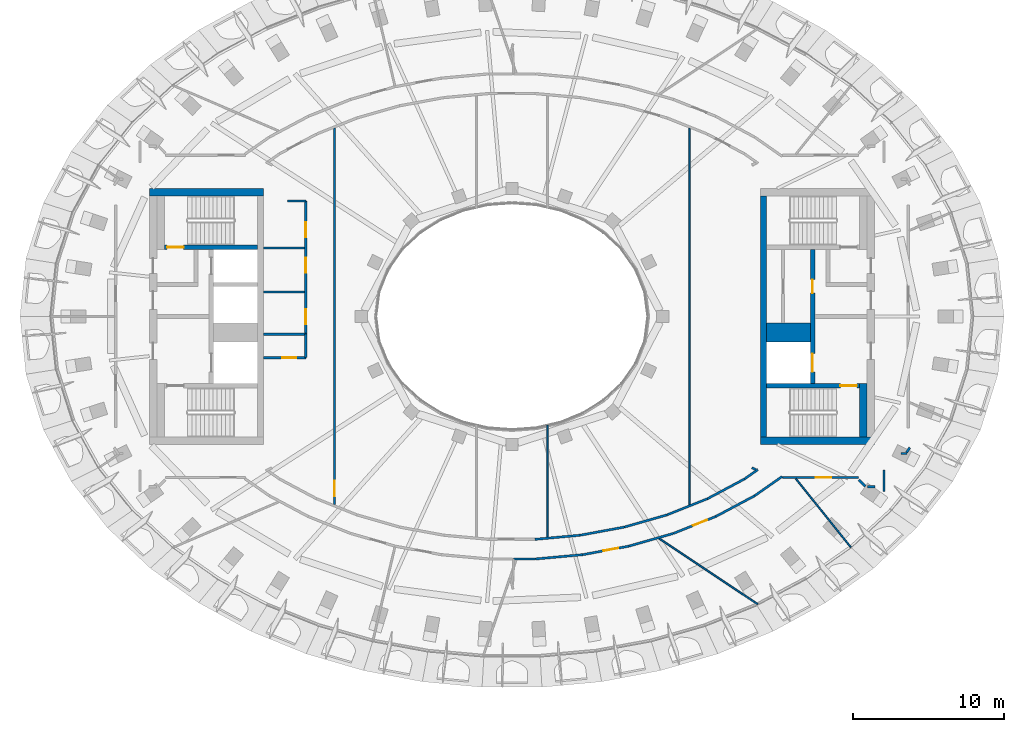
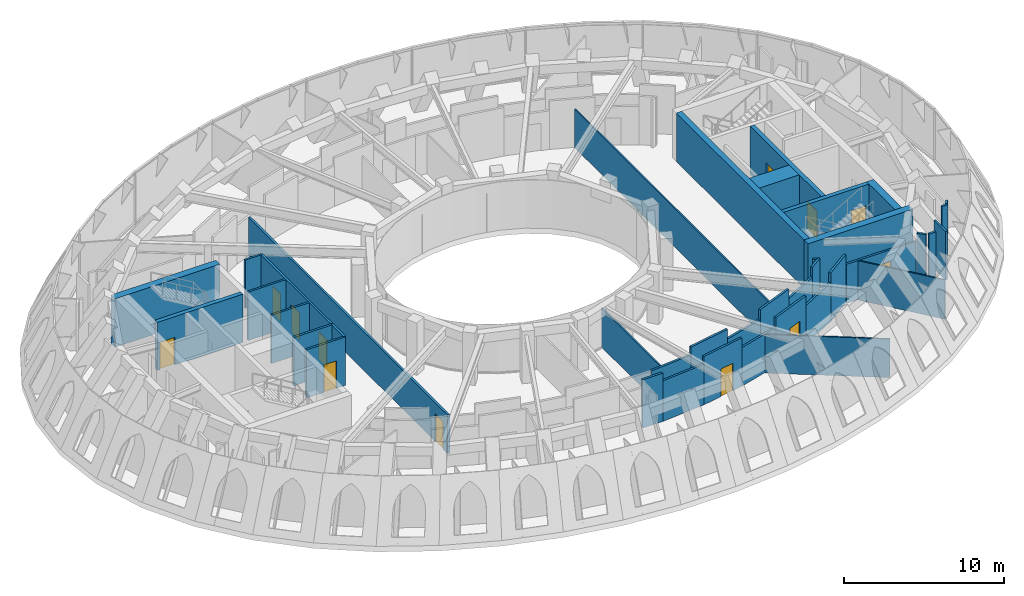
# One storey, part 4 of 13: 40 walls, 12 doors, 12 openings.
"""IFC4 building model written with IfcOpenShell, lengths in metres."""

import ifcopenshell
import ifcopenshell.guid

model = None  # the IFC model being written
_history = None  # IfcOwnerHistory: only IFC2X3 demands one
_inside = {}  # id of a spatial element -> (the spatial element, [elements in it])
_under = {}  # id of a project, library or spatial element -> (it, [spatial elements below it])
_declared = {}  # id of a project -> (the project, [libraries it declares])
_typed = {}  # id of a type object -> (the type object, [elements of that type])
_made_of = {}  # id of a material, layer set ... -> (it, [elements and type objects made of it])


def new_model(schema):
    """Start an empty IFC model of exactly this schema.

    Asked for "IFC4X3", IfcOpenShell would pick the latest addendum, in which some entities
    have other attributes; the version numbers below select the first issue.
    IFC2X3 requires an IfcOwnerHistory on every rooted entity: one is made here for all.
    """
    global model, _history
    if schema == "IFC4X3":
        model = ifcopenshell.file(schema_version=(4, 3, 0, 0))
    else:
        model = ifcopenshell.file(schema=schema)
    _inside.clear()
    _under.clear()
    _declared.clear()
    _typed.clear()
    _made_of.clear()
    _history = None
    if model.schema == "IFC2X3":
        org = make("IfcOrganization", Name="unknown")
        user = make(
            "IfcPersonAndOrganization",
            ThePerson=make("IfcPerson", FamilyName="unknown"),
            TheOrganization=org,
        )
        app = make(
            "IfcApplication",
            ApplicationDeveloper=org,
            Version="unknown",
            ApplicationFullName="unknown",
            ApplicationIdentifier="unknown",
        )
        _history = make(
            "IfcOwnerHistory",
            OwningUser=user,
            OwningApplication=app,
            ChangeAction="ADDED",
            CreationDate=0,
        )
    return model


def make(cls, **values):
    """One entity of the class cls with the attributes given. An attribute that is None is left unset."""
    return model.create_entity(
        cls, **{name: value for name, value in values.items() if value is not None}
    )


def rooted(cls, **values):
    """An entity with a GlobalId (a new one), such as an element, a storey or a relation."""
    return make(cls, GlobalId=ifcopenshell.guid.new(), OwnerHistory=_history, **values)


def si_unit(unit_type, name, prefix=None):
    """IfcSIUnit, for example si_unit("LENGTHUNIT", "METRE", prefix="MILLI")."""
    return make("IfcSIUnit", UnitType=unit_type, Prefix=prefix, Name=name)


def assignment(units):
    """IfcUnitAssignment: the units of a project."""
    return None if units is None else make("IfcUnitAssignment", Units=units)


def point(xyz):
    """IfcCartesianPoint."""
    return None if xyz is None else make("IfcCartesianPoint", Coordinates=xyz)


def direction(xyz):
    """IfcDirection."""
    return None if xyz is None else make("IfcDirection", DirectionRatios=xyz)


def frame(location, z_axis=None, x_axis=None):
    """IfcAxis2Placement3D, a coordinate frame: its origin and axes. An axis left out is left unset."""
    return make(
        "IfcAxis2Placement3D",
        Location=point(location),
        Axis=direction(z_axis),
        RefDirection=direction(x_axis),
    )


def frame_2d(location, x_axis=None):
    """IfcAxis2Placement2D, a coordinate frame in the plane: its origin and x axis."""
    return make(
        "IfcAxis2Placement2D", Location=point(location), RefDirection=direction(x_axis)
    )


def origin():
    """The frame at (0, 0, 0) with its axes left unset."""
    return frame((0.0, 0.0, 0.0))


def place(relative_to, where):
    """IfcLocalPlacement: puts the frame where relative to a parent placement (None: the world)."""
    return make(
        "IfcLocalPlacement", PlacementRelTo=relative_to, RelativePlacement=where
    )


def context(
    kind, dimensions, precision=None, world=None, true_north=None, identifier=None
):
    """IfcGeometricRepresentationContext, for example the 3D "Model" context."""
    return make(
        "IfcGeometricRepresentationContext",
        ContextIdentifier=identifier,
        ContextType=kind,
        CoordinateSpaceDimension=dimensions,
        Precision=precision,
        WorldCoordinateSystem=world,
        TrueNorth=true_north,
    )


def subcontext(parent, identifier, kind, view, scale=None):
    """IfcGeometricRepresentationSubContext, for example "Body" below "Model"."""
    return make(
        "IfcGeometricRepresentationSubContext",
        ContextIdentifier=identifier,
        ContextType=kind,
        ParentContext=parent,
        TargetScale=scale,
        TargetView=view,
    )


def project(units=None, contexts=None):
    """IfcProject with its units and contexts."""
    return rooted(
        "IfcProject",
        Name="project",
        RepresentationContexts=contexts,
        UnitsInContext=assignment(units),
    )


def spatial(cls, under=None, at=None, **own):
    """A site, building, storey or space (cls), placed at a placement, below another one or the project."""
    s = rooted(cls, ObjectPlacement=at, **own)
    if under is not None:
        _under.setdefault(under.id(), (under, []))[1].append(s)
    return s


def profile(cls, at=None, kind="AREA", **sizes):
    """A parametric profile (cls). Its sizes go by their IFC names, for example OverallWidth=200.0."""
    return make(cls, ProfileType=kind, Position=at, **sizes)


def rectangle(**sizes):
    """IfcRectangleProfileDef."""
    return profile("IfcRectangleProfileDef", **sizes)


def extrude(swept, where, along, depth):
    """IfcExtrudedAreaSolid: the profile swept, set in the frame where, extruded along a direction by depth."""
    return make(
        "IfcExtrudedAreaSolid",
        SweptArea=swept,
        Position=where,
        ExtrudedDirection=direction(along),
        Depth=depth,
    )


def shape(context_of_items, identifier, shape_type, items):
    """IfcShapeRepresentation: the items that make up one representation, for example the "Body"."""
    return make(
        "IfcShapeRepresentation",
        ContextOfItems=context_of_items,
        RepresentationIdentifier=identifier,
        RepresentationType=shape_type,
        Items=items,
    )


def material(Name=None, Category=None):
    """IfcMaterial."""
    return make("IfcMaterial", Name=Name, Category=Category)


def layer(
    of_material, thickness, ventilated=None, Name=None, Category=None, Priority=None
):
    """IfcMaterialLayer: one layer of a wall or slab, of a material (None: an air gap)."""
    return make(
        "IfcMaterialLayer",
        Material=of_material,
        LayerThickness=thickness,
        IsVentilated=ventilated,
        Name=Name,
        Category=Category,
        Priority=Priority,
    )


def layer_set(layers, Name=None):
    """IfcMaterialLayerSet."""
    return make("IfcMaterialLayerSet", MaterialLayers=layers, LayerSetName=Name)


def made_of(thing, what):
    """Note that an element or type object is made of a material, layer set ...; save() writes the relation."""
    if what is not None:
        _made_of.setdefault(what.id(), (what, []))[1].append(thing)
    return thing


def type_object(cls, material=None, **own):
    """A type object (cls), such as IfcWallType, which elements share."""
    return made_of(rooted(cls, **own), material)


def element(
    cls,
    number,
    at=None,
    inside=None,
    cuts=None,
    type_object=None,
    material=None,
    context=None,
    identifier="Body",
    shape_type=None,
    held_by="IfcProductDefinitionShape",
    body=None,
    shapes=None,
    **own,
):
    """One element of the class cls, such as IfcWall. Its Tag is "e" and its number.

    at: its placement. inside: the storey or other place that contains it. cuts: it is an
    opening in that element (IfcRelVoidsElement). A single representation is given by context,
    identifier, shape_type and body (its items); several are given by shapes. held_by: the class
    of the entity that holds the representations. save() writes the other relations.
    """
    e = rooted(cls, Tag="e%d" % number, ObjectPlacement=at, **own)
    if body is not None:
        shapes = [shape(context, identifier, shape_type, body)]
    if shapes is not None:
        e.Representation = make(held_by, Representations=shapes)
    if inside is not None:
        _inside.setdefault(inside.id(), (inside, []))[1].append(e)
    if cuts is not None:
        rooted(
            "IfcRelVoidsElement", RelatingBuildingElement=cuts, RelatedOpeningElement=e
        )
    if type_object is not None:
        _typed.setdefault(type_object.id(), (type_object, []))[1].append(e)
    return made_of(e, material)


def fill(opening, filler):
    """IfcRelFillsElement: the door or window that sits in an opening."""
    return rooted(
        "IfcRelFillsElement",
        RelatingOpeningElement=opening,
        RelatedBuildingElement=filler,
    )


def aggregate(whole, parts):
    """IfcRelAggregates: a whole, such as a stair, and the parts it consists of."""
    return rooted("IfcRelAggregates", RelatingObject=whole, RelatedObjects=parts)


def save(model, path):
    """Write the relations noted so far, then the file.

    IfcRelAggregates (storeys below a building ...), IfcRelContainedInSpatialStructure (elements
    in a storey), IfcRelDefinesByType, IfcRelAssociatesMaterial and IfcRelDeclares: one each for
    every whole, place, type object, material and project.
    """
    for whole, parts in _under.values():
        aggregate(whole, parts)
    for where, things in _inside.values():
        rooted(
            "IfcRelContainedInSpatialStructure",
            RelatedElements=things,
            RelatingStructure=where,
        )
    for kind, things in _typed.values():
        rooted("IfcRelDefinesByType", RelatedObjects=things, RelatingType=kind)
    for what, things in _made_of.values():
        rooted("IfcRelAssociatesMaterial", RelatedObjects=things, RelatingMaterial=what)
    for by, libraries in _declared.values():
        rooted("IfcRelDeclares", RelatingContext=by, RelatedDefinitions=libraries)
    model.write(path)


model = new_model("IFC4")

# Units and contexts
model_context = context("Model", 3, precision=1e-05, world=origin(), true_north=direction((0.0, 1.0)))
body_context = subcontext(model_context, "Body", "Model", "MODEL_VIEW")
ifc_project = project(units=[si_unit("LENGTHUNIT", "METRE"), si_unit("AREAUNIT", "SQUARE_METRE"), si_unit("VOLUMEUNIT", "CUBIC_METRE"), si_unit("PLANEANGLEUNIT", "RADIAN"), si_unit("MASSUNIT", "GRAM", prefix="KILO")], contexts=[model_context])

# Site, building, storey
site_placement = place(None, origin())
site = spatial("IfcSite", under=ifc_project, at=site_placement, CompositionType="ELEMENT")
building_placement = place(site_placement, origin())
building = spatial("IfcBuilding", under=site, at=building_placement, Name="Noorbagh Ring Tower", CompositionType="ELEMENT")
storey_placement = place(building_placement, frame((0.0, 0.0, 347.0)))
storey = spatial("IfcBuildingStorey", under=building, at=storey_placement, Name="L76", CompositionType="ELEMENT", Elevation=347.0)

# Wall, opening, door
ifc_material_1 = material(Name="Gypsum board on steel studs", Category="steel")
ifc_layer_1 = layer(ifc_material_1, 0.14990234375)
ifc_layer_set_1 = layer_set([ifc_layer_1], Name="Gypsum board on steel studs")
wall_type_1 = type_object("IfcWallType", Name="COMPARTMENT PARTITION 150 EI 60", PredefinedType="PARTITIONING", material=ifc_layer_set_1)
wall_1_placement = place(storey_placement, frame((-16.5, -2.740966796875, 0.0), z_axis=(0.0, 0.0, 1.0), x_axis=(1.0, 0.0, 0.0)))
wall_1 = element("IfcWall", 1, at=wall_1_placement, inside=storey, type_object=wall_type_1, Name="L76/wall/P19", PredefinedType="PARTITIONING", context=body_context, shape_type="SweptSolid", body=[
    extrude(rectangle(XDim=2.81396484375, YDim=0.14990234375, at=frame_2d((1.406982421875, 0.0))), origin(), (0.0, 0.0, 1.0), 3.699951171875),
])
opening_1_placement = place(wall_1_placement, frame((1.263916015625, 0.0, 0.0)))
opening_1 = element("IfcOpeningElement", 2, at=opening_1_placement, cuts=wall_1, Name="Opening D4", PredefinedType="OPENING", context=body_context, shape_type="SweptSolid", body=[
    extrude(rectangle(XDim=0.89990234375, YDim=2.10009765625, at=frame_2d((0.449951171875, 1.050048828125))), frame((0.0, 0.0849609375, 0.0), z_axis=(0.0, -1.0, 0.0), x_axis=(1.0, 0.0, 0.0)), (0.0, 0.0, 1.0), 0.169921875),
])
ifc_material_2 = material(Name="Timber, painted", Category="wood")
door_type_1 = type_object("IfcDoorType", Name="DOOR 900 X 2100 FD60", OperationType="SINGLE_SWING_LEFT", PredefinedType="DOOR", material=ifc_material_2)
door_1_placement = place(opening_1_placement, origin())
door_1 = element("IfcDoor", 3, at=door_1_placement, inside=storey, type_object=door_type_1, Name="L76-D05", OperationType="SINGLE_SWING_LEFT", OverallHeight=2.10009765625, OverallWidth=0.89990234375, PredefinedType="DOOR", context=body_context, shape_type="SweptSolid", body=[
    extrude(rectangle(XDim=0.89990234375, YDim=2.10009765625, at=frame_2d((0.449951171875, 1.050048828125))), frame((0.0, 0.02490234375, 0.0), z_axis=(0.0, -1.0, 0.0), x_axis=(1.0, 0.0, 0.0)), (0.0, 0.0, 1.0), 0.050048828125),
])
fill(opening_1, door_1)

# Walls
wall_2_placement = place(storey_placement, frame((-16.5, -1.180908203125, 0.0), z_axis=(0.0, 0.0, 1.0), x_axis=(1.0, 0.0, 0.0)))
element("IfcWall", 4, at=wall_2_placement, inside=storey, type_object=wall_type_1, Name="L76/wall/P20", PredefinedType="PARTITIONING", context=body_context, shape_type="SweptSolid", body=[
    extrude(rectangle(XDim=2.81396484375, YDim=0.14990234375, at=frame_2d((1.406982421875, 0.0))), origin(), (0.0, 0.0, 1.0), 3.699951171875),
])
wall_3_placement = place(storey_placement, frame((-13.68603515625, -2.740966796875, 0.0), z_axis=(0.0, 0.0, 1.0), x_axis=(0.0, 1.0, 0.0)))
element("IfcWall", 5, at=wall_3_placement, inside=storey, type_object=wall_type_1, Name="L76/wall/P32", PredefinedType="PARTITIONING", context=body_context, shape_type="SweptSolid", body=[
    extrude(rectangle(XDim=1.56005859375, YDim=0.14990234375, at=frame_2d((0.780029296875, 0.0))), origin(), (0.0, 0.0, 1.0), 3.699951171875),
])
ifc_material_3 = material(Name="Concrete C50/60", Category="concrete")
ifc_layer_2 = layer(ifc_material_3, 1.25)
ifc_layer_set_2 = layer_set([ifc_layer_2], Name="Concrete C50/60")
wall_type_2 = type_object("IfcWallType", Name="CORE-WALL-1250-C50-60-EI120", PredefinedType="SHEAR", material=ifc_layer_set_2)
wall_4_placement = place(storey_placement, frame((16.89990234375, -1.074951171875, 0.0), z_axis=(0.0, 0.0, 1.0), x_axis=(1.0, 0.0, 0.0)))
element("IfcWall", 6, at=wall_4_placement, inside=storey, type_object=wall_type_2, Name="Core wall E", PredefinedType="SHEAR", context=body_context, shape_type="SweptSolid", body=[
    extrude(rectangle(XDim=2.900146484375, YDim=1.25, at=frame_2d((1.4501953125, 0.0))), origin(), (0.0, 0.0, 1.0), 3.699951171875),
])

# Wall, openings, doors
ifc_material_4 = material(Name="Concrete C50/60", Category="concrete")
ifc_layer_3 = layer(ifc_material_4, 0.300048828125)
ifc_layer_set_3 = layer_set([ifc_layer_3], Name="Concrete C50/60")
wall_type_3 = type_object("IfcWallType", Name="CORE-WALL-300-C50-60-EI120", PredefinedType="SHEAR", material=ifc_layer_set_3)
wall_5_placement = place(storey_placement, frame((19.949951171875, -4.449951171875, 0.0), z_axis=(0.0, 0.0, 1.0), x_axis=(0.0, 1.0, 0.0)))
wall_5 = element("IfcWall", 7, at=wall_5_placement, inside=storey, type_object=wall_type_3, Name="Core wall E", PredefinedType="SHEAR", context=body_context, shape_type="SweptSolid", body=[
    extrude(rectangle(XDim=8.89990234375, YDim=0.300048828125, at=frame_2d((4.449951171875, 0.0))), origin(), (0.0, 0.0, 1.0), 3.699951171875),
])
opening_2_placement = place(wall_5_placement, frame((0.77490234375, 0.0, 0.0)))
opening_2 = element("IfcOpeningElement", 8, at=opening_2_placement, cuts=wall_5, Name="Opening L76-CE01", PredefinedType="OPENING", context=body_context, shape_type="SweptSolid", body=[
    extrude(rectangle(XDim=1.199951171875, YDim=2.10009765625, at=frame_2d((0.60009765625, 1.050048828125))), frame((0.0, 0.16015625, 0.0), z_axis=(0.0, -1.0, 0.0), x_axis=(1.0, 0.0, 0.0)), (0.0, 0.0, 1.0), 0.320068359375),
])
opening_3_placement = place(wall_5_placement, frame((6.0, 0.0, 0.0)))
opening_3 = element("IfcOpeningElement", 9, at=opening_3_placement, cuts=wall_5, Name="Opening L76-CE07", PredefinedType="OPENING", context=body_context, shape_type="SweptSolid", body=[
    extrude(rectangle(XDim=0.89990234375, YDim=2.10009765625, at=frame_2d((0.449951171875, 1.050048828125))), frame((0.0, 0.16015625, 0.0), z_axis=(0.0, -1.0, 0.0), x_axis=(1.0, 0.0, 0.0)), (0.0, 0.0, 1.0), 0.320068359375),
])
ifc_material_5 = material(Name="Steel door leaf", Category="steel")
door_type_2 = type_object("IfcDoorType", Name="CORE-DOOR-DROOM", OperationType="SINGLE_SWING_LEFT", PredefinedType="DOOR", material=ifc_material_5)
door_2_placement = place(opening_3_placement, origin())
door_2 = element("IfcDoor", 10, at=door_2_placement, inside=storey, type_object=door_type_2, Name="Core room door L76-CE07", OperationType="SINGLE_SWING_RIGHT", OverallHeight=2.10009765625, OverallWidth=0.89990234375, PredefinedType="DOOR", context=body_context, shape_type="SweptSolid", body=[
    extrude(rectangle(XDim=0.89990234375, YDim=2.10009765625, at=frame_2d((0.449951171875, 1.050048828125))), frame((0.0, 0.02490234375, 0.0), z_axis=(0.0, -1.0, 0.0), x_axis=(1.0, 0.0, 0.0)), (0.0, 0.0, 1.0), 0.050048828125),
])
fill(opening_3, door_2)
ifc_material_6 = material(Name="Steel door leaf", Category="steel")
door_type_3 = type_object("IfcDoorType", Name="CORE-DOOR-LDW", OperationType="DOUBLE_DOOR_SLIDING", PredefinedType="DOOR", material=ifc_material_6)
door_3_placement = place(opening_2_placement, origin())
door_3 = element("IfcDoor", 11, at=door_3_placement, inside=storey, type_object=door_type_3, Name="Landing door FF2 L76-CE01", OperationType="DOUBLE_DOOR_SLIDING", OverallHeight=2.10009765625, OverallWidth=1.199951171875, PredefinedType="DOOR", context=body_context, shape_type="SweptSolid", body=[
    extrude(rectangle(XDim=1.199951171875, YDim=2.10009765625, at=frame_2d((0.60009765625, 1.050048828125))), frame((0.0, 0.02490234375, 0.0), z_axis=(0.0, -1.0, 0.0), x_axis=(1.0, 0.0, 0.0)), (0.0, 0.0, 1.0), 0.050048828125),
])
fill(opening_2, door_3)

# Wall, opening, door
ifc_material_7 = material(Name="Concrete C50/60", Category="concrete")
ifc_layer_4 = layer(ifc_material_7, 0.300048828125)
ifc_layer_set_4 = layer_set([ifc_layer_4], Name="Concrete C50/60")
wall_type_4 = type_object("IfcWallType", Name="CORE-WALL-300-C50-60-EI240", PredefinedType="SHEAR", material=ifc_layer_set_4)
wall_6_placement = place(storey_placement, frame((-16.89990234375, 4.60009765625, 0.0), z_axis=(0.0, 0.0, 1.0), x_axis=(-1.0, 0.0, 0.0)))
wall_6 = element("IfcWall", 12, at=wall_6_placement, inside=storey, type_object=wall_type_4, Name="Core wall W", PredefinedType="SHEAR", context=body_context, shape_type="SweptSolid", body=[
    extrude(rectangle(XDim=6.18017578125, YDim=0.300048828125, at=frame_2d((3.090087890625, 0.0))), origin(), (0.0, 0.0, 1.0), 3.699951171875),
])
opening_4_placement = place(wall_6_placement, frame((4.89990234375, 0.0, 0.0)))
opening_4 = element("IfcOpeningElement", 13, at=opening_4_placement, cuts=wall_6, Name="Opening L76-CW03", PredefinedType="OPENING", context=body_context, shape_type="SweptSolid", body=[
    extrude(rectangle(XDim=1.10009765625, YDim=2.10009765625, at=frame_2d((0.550048828125, 1.050048828125))), frame((0.0, 0.16015625, 0.0), z_axis=(0.0, -1.0, 0.0), x_axis=(1.0, 0.0, 0.0)), (0.0, 0.0, 1.0), 0.320068359375),
])
ifc_material_8 = material(Name="Steel door leaf", Category="steel")
door_type_4 = type_object("IfcDoorType", Name="CORE-DOOR-DSTAIR", OperationType="SINGLE_SWING_LEFT", PredefinedType="DOOR", material=ifc_material_8)
door_4_placement = place(opening_4_placement, origin())
door_4 = element("IfcDoor", 14, at=door_4_placement, inside=storey, type_object=door_type_4, Name="Stair door ST1 L76-CW03", OperationType="SINGLE_SWING_RIGHT", OverallHeight=2.10009765625, OverallWidth=1.10009765625, PredefinedType="DOOR", context=body_context, shape_type="SweptSolid", body=[
    extrude(rectangle(XDim=1.10009765625, YDim=2.10009765625, at=frame_2d((0.550048828125, 1.050048828125))), frame((0.0, 0.02490234375, 0.0), z_axis=(0.0, -1.0, 0.0), x_axis=(1.0, 0.0, 0.0)), (0.0, 0.0, 1.0), 0.050048828125),
])
fill(opening_4, door_4)

wall_7_placement = place(storey_placement, frame((16.89990234375, -4.60009765625, 0.0), z_axis=(0.0, 0.0, 1.0), x_axis=(1.0, 0.0, 0.0)))
wall_7 = element("IfcWall", 15, at=wall_7_placement, inside=storey, type_object=wall_type_4, Name="Core wall E", PredefinedType="SHEAR", context=body_context, shape_type="SweptSolid", body=[
    extrude(rectangle(XDim=6.18017578125, YDim=0.300048828125, at=frame_2d((3.090087890625, 0.0))), origin(), (0.0, 0.0, 1.0), 3.699951171875),
])
opening_5_placement = place(wall_7_placement, frame((4.89990234375, 0.0, 0.0)))
opening_5 = element("IfcOpeningElement", 16, at=opening_5_placement, cuts=wall_7, Name="Opening L76-CE03", PredefinedType="OPENING", context=body_context, shape_type="SweptSolid", body=[
    extrude(rectangle(XDim=1.10009765625, YDim=2.10009765625, at=frame_2d((0.550048828125, 1.050048828125))), frame((0.0, 0.16015625, 0.0), z_axis=(0.0, -1.0, 0.0), x_axis=(1.0, 0.0, 0.0)), (0.0, 0.0, 1.0), 0.320068359375),
])
door_5_placement = place(opening_5_placement, origin())
door_5 = element("IfcDoor", 17, at=door_5_placement, inside=storey, type_object=door_type_4, Name="Stair door ST4 L76-CE03", OperationType="SINGLE_SWING_RIGHT", OverallHeight=2.10009765625, OverallWidth=1.10009765625, PredefinedType="DOOR", context=body_context, shape_type="SweptSolid", body=[
    extrude(rectangle(XDim=1.10009765625, YDim=2.10009765625, at=frame_2d((0.550048828125, 1.050048828125))), frame((0.0, 0.02490234375, 0.0), z_axis=(0.0, -1.0, 0.0), x_axis=(1.0, 0.0, 0.0)), (0.0, 0.0, 1.0), 0.050048828125),
])
fill(opening_5, door_5)

# Walls
ifc_material_9 = material(Name="Concrete C50/60", Category="concrete")
ifc_layer_5 = layer(ifc_material_9, 0.39990234375)
ifc_layer_set_5 = layer_set([ifc_layer_5], Name="Concrete C50/60")
wall_type_5 = type_object("IfcWallType", Name="CORE-WALL-400-C50-60-EI240", PredefinedType="SHEAR", material=ifc_layer_set_5)
wall_8_placement = place(storey_placement, frame((16.699951171875, -8.0, 0.0), z_axis=(0.0, 0.0, 1.0), x_axis=(0.0, 1.0, 0.0)))
element("IfcWall", 18, at=wall_8_placement, inside=storey, type_object=wall_type_5, Name="Core wall E", PredefinedType="SHEAR", context=body_context, shape_type="SweptSolid", body=[
    extrude(rectangle(XDim=16.0, YDim=0.39990234375, at=frame_2d((8.0, 0.0))), origin(), (0.0, 0.0, 1.0), 3.699951171875),
])
ifc_material_10 = material(Name="Concrete C50/60", Category="concrete")
ifc_layer_6 = layer(ifc_material_10, 0.5)
ifc_layer_set_6 = layer_set([ifc_layer_6], Name="Concrete C50/60")
wall_type_6 = type_object("IfcWallType", Name="CORE-WALL-500-C50-60-EI240", PredefinedType="SHEAR", material=ifc_layer_set_6)
for number, where, z_axis, x_axis, name in (
    (19, (-16.5, 8.25, 0.0), (0.0, 0.0, 1.0), (-1.0, 0.0, 0.0), "Core wall W"),
    (20, (16.5, -8.25, 0.0), (0.0, 0.0, 1.0), (1.0, 0.0, 0.0), "Core wall E"),
):
    element("IfcWall", number, at=place(storey_placement, frame(where, z_axis=z_axis, x_axis=x_axis)), inside=storey, type_object=wall_type_6, Name=name, PredefinedType="SHEAR", context=body_context, shape_type="SweptSolid", body=[
        extrude(rectangle(XDim=7.580078125, YDim=0.5, at=frame_2d((3.7900390625, 0.0))), origin(), (0.0, 0.0, 1.0), 3.699951171875),
    ])
wall_9_placement = place(storey_placement, frame((23.330078125, -8.0, 0.0), z_axis=(0.0, 0.0, 1.0), x_axis=(0.0, 1.0, 0.0)))
element("IfcWall", 21, at=wall_9_placement, inside=storey, type_object=wall_type_6, Name="Core wall E", PredefinedType="SHEAR", context=body_context, shape_type="SweptSolid", body=[
    extrude(rectangle(XDim=3.550048828125, YDim=0.5, at=frame_2d((1.77490234375, 0.0))), origin(), (0.0, 0.0, 1.0), 3.699951171875),
])
ifc_material_11 = material(Name="Gypsum board on steel studs", Category="steel")
ifc_layer_7 = layer(ifc_material_11, 0.14990234375)
ifc_layer_set_7 = layer_set([ifc_layer_7], Name="Gypsum board on steel studs")
wall_type_7 = type_object("IfcWallType", Name="CORRIDOR PARTITION 150 EI 30", PredefinedType="PARTITIONING", material=ifc_layer_set_7)
for number, where, z_axis, x_axis, name in (
    (22, (-16.5, 1.626953125, 0.0), (0.0, 0.0, 1.0), (1.0, 0.0, 0.0), "L76/wall/P21"),
    (23, (-16.5, 4.5390625, 0.0), (0.0, 0.0, 1.0), (1.0, 0.0, 0.0), "L76/wall/P22"),
):
    element("IfcWall", number, at=place(storey_placement, frame(where, z_axis=z_axis, x_axis=x_axis)), inside=storey, type_object=wall_type_7, Name=name, PredefinedType="PARTITIONING", context=body_context, shape_type="SweptSolid", body=[
        extrude(rectangle(XDim=2.739013671875, YDim=0.14990234375, at=frame_2d((1.36962890625, 0.0))), origin(), (0.0, 0.0, 1.0), 3.699951171875),
    ])
wall_10_placement = place(storey_placement, frame((-14.905029296875, 7.658935546875, 0.0), z_axis=(0.0, 0.0, 1.0), x_axis=(1.0, 0.0, 0.0)))
element("IfcWall", 24, at=wall_10_placement, inside=storey, type_object=wall_type_7, Name="L76/wall/P31", PredefinedType="PARTITIONING", context=body_context, shape_type="SweptSolid", body=[
    extrude(rectangle(XDim=1.218994140625, YDim=0.14990234375, at=frame_2d((0.609375, 0.0))), origin(), (0.0, 0.0, 1.0), 3.699951171875),
])

# Wall, openings, doors
wall_11_placement = place(storey_placement, frame((-13.68603515625, -1.180908203125, 0.0), z_axis=(0.0, 0.0, 1.0), x_axis=(0.0, 1.0, 0.0)))
wall_11 = element("IfcWall", 25, at=wall_11_placement, inside=storey, type_object=wall_type_7, Name="L76/wall/P33", PredefinedType="PARTITIONING", context=body_context, shape_type="SweptSolid", body=[
    extrude(rectangle(XDim=8.83984375, YDim=0.14990234375, at=frame_2d((4.419921875, 0.0))), origin(), (0.0, 0.0, 1.0), 3.699951171875),
])
opening_6_placement = place(wall_11_placement, frame((6.43994140625, 0.0, 0.0)))
opening_6 = element("IfcOpeningElement", 26, at=opening_6_placement, cuts=wall_11, Name="Opening D3", PredefinedType="OPENING", context=body_context, shape_type="SweptSolid", body=[
    extrude(rectangle(XDim=1.0, YDim=2.10009765625, at=frame_2d((0.5, 1.050048828125))), frame((0.0, 0.0849609375, 0.0), z_axis=(0.0, -1.0, 0.0), x_axis=(1.0, 0.0, 0.0)), (0.0, 0.0, 1.0), 0.169921875),
])
opening_7_placement = place(wall_11_placement, frame((4.070068359375, 0.0, 0.0)))
opening_7 = element("IfcOpeningElement", 27, at=opening_7_placement, cuts=wall_11, Name="Opening D3", PredefinedType="OPENING", context=body_context, shape_type="SweptSolid", body=[
    extrude(rectangle(XDim=1.0, YDim=2.10009765625, at=frame_2d((0.5, 1.050048828125))), frame((0.0, 0.0849609375, 0.0), z_axis=(0.0, -1.0, 0.0), x_axis=(1.0, 0.0, 0.0)), (0.0, 0.0, 1.0), 0.169921875),
])
opening_8_placement = place(wall_11_placement, frame((0.657958984375, 0.0, 0.0)))
opening_8 = element("IfcOpeningElement", 28, at=opening_8_placement, cuts=wall_11, Name="Opening D3", PredefinedType="OPENING", context=body_context, shape_type="SweptSolid", body=[
    extrude(rectangle(XDim=1.0, YDim=2.10009765625, at=frame_2d((0.5, 1.050048828125))), frame((0.0, 0.0849609375, 0.0), z_axis=(0.0, -1.0, 0.0), x_axis=(1.0, 0.0, 0.0)), (0.0, 0.0, 1.0), 0.169921875),
])
ifc_material_12 = material(Name="Timber, painted", Category="wood")
door_type_5 = type_object("IfcDoorType", Name="DOOR 1000 X 2100 WC", OperationType="SINGLE_SWING_LEFT", PredefinedType="DOOR", material=ifc_material_12)
door_6_placement = place(opening_6_placement, origin())
door_6 = element("IfcDoor", 29, at=door_6_placement, inside=storey, type_object=door_type_5, Name="L76-D02", OperationType="SINGLE_SWING_RIGHT", OverallHeight=2.10009765625, OverallWidth=1.0, PredefinedType="DOOR", context=body_context, shape_type="SweptSolid", body=[
    extrude(rectangle(XDim=1.0, YDim=2.10009765625, at=frame_2d((0.5, 1.050048828125))), frame((0.0, 0.02490234375, 0.0), z_axis=(0.0, -1.0, 0.0), x_axis=(1.0, 0.0, 0.0)), (0.0, 0.0, 1.0), 0.050048828125),
])
fill(opening_6, door_6)
door_7_placement = place(opening_7_placement, origin())
door_7 = element("IfcDoor", 30, at=door_7_placement, inside=storey, type_object=door_type_5, Name="L76-D03", OperationType="SINGLE_SWING_LEFT", OverallHeight=2.10009765625, OverallWidth=1.0, PredefinedType="DOOR", context=body_context, shape_type="SweptSolid", body=[
    extrude(rectangle(XDim=1.0, YDim=2.10009765625, at=frame_2d((0.5, 1.050048828125))), frame((0.0, 0.02490234375, 0.0), z_axis=(0.0, -1.0, 0.0), x_axis=(1.0, 0.0, 0.0)), (0.0, 0.0, 1.0), 0.050048828125),
])
fill(opening_7, door_7)
door_8_placement = place(opening_8_placement, origin())
door_8 = element("IfcDoor", 31, at=door_8_placement, inside=storey, type_object=door_type_5, Name="L76-D04", OperationType="SINGLE_SWING_RIGHT", OverallHeight=2.10009765625, OverallWidth=1.0, PredefinedType="DOOR", context=body_context, shape_type="SweptSolid", body=[
    extrude(rectangle(XDim=1.0, YDim=2.10009765625, at=frame_2d((0.5, 1.050048828125))), frame((0.0, 0.02490234375, 0.0), z_axis=(0.0, -1.0, 0.0), x_axis=(1.0, 0.0, 0.0)), (0.0, 0.0, 1.0), 0.050048828125),
])
fill(opening_8, door_8)

# Wall, opening, door
wall_12_placement = place(storey_placement, frame((-11.785888671875, -12.492919921875, 0.0), z_axis=(0.0, 0.0, 1.0), x_axis=(0.0, 1.0, 0.0)))
wall_12 = element("IfcWall", 32, at=wall_12_placement, inside=storey, type_object=wall_type_7, Name="L76/wall/P38", PredefinedType="PARTITIONING", context=body_context, shape_type="SweptSolid", body=[
    extrude(rectangle(XDim=24.98583984375, YDim=0.14990234375, at=frame_2d((12.492919921875, 0.0))), origin(), (0.0, 0.0, 1.0), 2.949951171875),
])
opening_9_placement = place(wall_12_placement, frame((0.569091796875, 0.0, 0.0)))
opening_9 = element("IfcOpeningElement", 33, at=opening_9_placement, cuts=wall_12, Name="Opening D1", PredefinedType="OPENING", context=body_context, shape_type="SweptSolid", body=[
    extrude(rectangle(XDim=1.0, YDim=2.10009765625, at=frame_2d((0.5, 1.050048828125))), frame((0.0, 0.0849609375, 0.0), z_axis=(0.0, -1.0, 0.0), x_axis=(1.0, 0.0, 0.0)), (0.0, 0.0, 1.0), 0.169921875),
])
ifc_material_13 = material(Name="Timber, painted", Category="wood")
door_type_6 = type_object("IfcDoorType", Name="DOOR 1000 X 2100 FD30", OperationType="SINGLE_SWING_LEFT", PredefinedType="DOOR", material=ifc_material_13)
door_9_placement = place(opening_9_placement, origin())
door_9 = element("IfcDoor", 34, at=door_9_placement, inside=storey, type_object=door_type_6, Name="L76-D21", OperationType="SINGLE_SWING_LEFT", OverallHeight=2.10009765625, OverallWidth=1.0, PredefinedType="DOOR", context=body_context, shape_type="SweptSolid", body=[
    extrude(rectangle(XDim=1.0, YDim=2.10009765625, at=frame_2d((0.5, 1.050048828125))), frame((0.0, 0.02490234375, 0.0), z_axis=(0.0, -1.0, 0.0), x_axis=(1.0, 0.0, 0.0)), (0.0, 0.0, 1.0), 0.050048828125),
])
fill(opening_9, door_9)

# Walls
wall_13_placement = place(storey_placement, frame((0.115966796875, -16.09912109375, 0.0), z_axis=(0.0, 0.0, 1.0), x_axis=(1.0, 0.0, 0.0)))
element("IfcWall", 35, at=wall_13_placement, inside=storey, type_object=wall_type_7, Name="L76/wall/P65", PredefinedType="PARTITIONING", context=body_context, shape_type="SweptSolid", body=[
    extrude(rectangle(XDim=1.45703125, YDim=0.14990234375, at=frame_2d((0.728515625, 0.0))), origin(), (0.0, 0.0, 1.0), 3.699951171875),
])
wall_14_placement = place(storey_placement, frame((1.513916015625, -14.799072265625, 0.0), z_axis=(0.0, 0.0, 1.0), x_axis=(0.995895857898, 0.09050657557, 0.0)))
element("IfcWall", 36, at=wall_14_placement, inside=storey, type_object=wall_type_7, Name="L76/wall/P67", PredefinedType="PARTITIONING", context=body_context, shape_type="SweptSolid", body=[
    extrude(rectangle(XDim=3.0185546875, YDim=0.14990234375, at=frame_2d((1.50927734375, 0.0))), origin(), (0.0, 0.0, 1.0), 3.10009765625),
])
wall_15_placement = place(storey_placement, frame((1.572998046875, -16.09912109375, 0.0), z_axis=(0.0, 0.0, 1.0), x_axis=(0.995918677146, 0.090255130116, 0.0)))
element("IfcWall", 37, at=wall_15_placement, inside=storey, type_object=wall_type_7, Name="L76/wall/P69", PredefinedType="PARTITIONING", context=body_context, shape_type="SweptSolid", body=[
    extrude(rectangle(XDim=3.1376953125, YDim=0.14990234375, at=frame_2d((1.56884765625, 0.0))), origin(), (0.0, 0.0, 1.0), 3.10009765625),
])
wall_16_placement = place(storey_placement, frame((4.52001953125, -14.52587890625, 0.0), z_axis=(0.0, 0.0, 1.0), x_axis=(0.983401893443, 0.181440667913, 0.0)))
element("IfcWall", 38, at=wall_16_placement, inside=storey, type_object=wall_type_7, Name="L76/wall/P73", PredefinedType="PARTITIONING", context=body_context, shape_type="SweptSolid", body=[
    extrude(rectangle(XDim=2.992431640625, YDim=0.14990234375, at=frame_2d((1.49609375, 0.0))), origin(), (0.0, 0.0, 1.0), 3.699951171875),
])

# Wall, opening, door
wall_17_placement = place(storey_placement, frame((4.697998046875, -15.81591796875, 0.0), z_axis=(0.0, 0.0, 1.0), x_axis=(0.983356767642, 0.181685077905, 0.0)))
wall_17 = element("IfcWall", 39, at=wall_17_placement, inside=storey, type_object=wall_type_7, Name="L76/wall/P75", PredefinedType="PARTITIONING", context=body_context, shape_type="SweptSolid", body=[
    extrude(rectangle(XDim=3.11474609375, YDim=0.14990234375, at=frame_2d((1.557373046875, 0.0))), origin(), (0.0, 0.0, 1.0), 3.699951171875),
])
opening_10_placement = place(wall_17_placement, frame((1.39990234375, 0.0, 0.0)))
opening_10 = element("IfcOpeningElement", 40, at=opening_10_placement, cuts=wall_17, Name="Opening D1", PredefinedType="OPENING", context=body_context, shape_type="SweptSolid", body=[
    extrude(rectangle(XDim=1.0, YDim=2.10009765625, at=frame_2d((0.5, 1.050048828125))), frame((0.0, 0.0849609375, 0.0), z_axis=(0.0, -1.0, 0.0), x_axis=(1.0, 0.0, 0.0)), (0.0, 0.0, 1.0), 0.169921875),
])
door_10_placement = place(opening_10_placement, origin())
door_10 = element("IfcDoor", 41, at=door_10_placement, inside=storey, type_object=door_type_6, Name="L76-D14", OperationType="SINGLE_SWING_RIGHT", OverallHeight=2.10009765625, OverallWidth=1.0, PredefinedType="DOOR", context=body_context, shape_type="SweptSolid", body=[
    extrude(rectangle(XDim=1.0, YDim=2.10009765625, at=frame_2d((0.5, 1.050048828125))), frame((0.0, 0.02490234375, 0.0), z_axis=(0.0, -1.0, 0.0), x_axis=(1.0, 0.0, 0.0)), (0.0, 0.0, 1.0), 0.050048828125),
])
fill(opening_10, door_10)

# Walls
wall_18_placement = place(storey_placement, frame((7.462890625, -13.98291015625, 0.0), z_axis=(0.0, 0.0, 1.0), x_axis=(0.961520822089, 0.274732067092, 0.0)))
element("IfcWall", 42, at=wall_18_placement, inside=storey, type_object=wall_type_7, Name="L76/wall/P77", PredefinedType="PARTITIONING", context=body_context, shape_type="SweptSolid", body=[
    extrude(rectangle(XDim=2.94775390625, YDim=0.14990234375, at=frame_2d((1.473876953125, 0.0))), origin(), (0.0, 0.0, 1.0), 2.949951171875),
])
wall_19_placement = place(storey_placement, frame((7.760986328125, -15.25, 0.0), z_axis=(0.0, 0.0, 1.0), x_axis=(0.961431034977, 0.275046114283, 0.0)))
element("IfcWall", 43, at=wall_19_placement, inside=storey, type_object=wall_type_7, Name="L76/wall/P79", PredefinedType="PARTITIONING", context=body_context, shape_type="SweptSolid", body=[
    extrude(rectangle(XDim=3.07568359375, YDim=0.14990234375, at=frame_2d((1.537841796875, 0.0))), origin(), (0.0, 0.0, 1.0), 2.949951171875),
])
wall_20_placement = place(storey_placement, frame((10.297119140625, -13.173095703125, 0.0), z_axis=(0.0, 0.0, 1.0), x_axis=(0.928576025609, 0.371142243168, 0.0)))
element("IfcWall", 44, at=wall_20_placement, inside=storey, type_object=wall_type_7, Name="L76/wall/P83", PredefinedType="PARTITIONING", context=body_context, shape_type="SweptSolid", body=[
    extrude(rectangle(XDim=2.880615234375, YDim=0.14990234375, at=frame_2d((1.4404296875, 0.0))), origin(), (0.0, 0.0, 1.0), 3.699951171875),
])

# Wall, opening, door
wall_21_placement = place(storey_placement, frame((10.718017578125, -14.404052734375, 0.0), z_axis=(0.0, 0.0, 1.0), x_axis=(0.928710811389, 0.370804839248, 0.0)))
wall_21 = element("IfcWall", 45, at=wall_21_placement, inside=storey, type_object=wall_type_7, Name="L76/wall/P85", PredefinedType="PARTITIONING", context=body_context, shape_type="SweptSolid", body=[
    extrude(rectangle(XDim=3.01806640625, YDim=0.14990234375, at=frame_2d((1.509033203125, 0.0))), origin(), (0.0, 0.0, 1.0), 3.699951171875),
])
opening_11_placement = place(wall_21_placement, frame((1.39990234375, 0.0, 0.0)))
opening_11 = element("IfcOpeningElement", 46, at=opening_11_placement, cuts=wall_21, Name="Opening D1", PredefinedType="OPENING", context=body_context, shape_type="SweptSolid", body=[
    extrude(rectangle(XDim=1.0, YDim=2.10009765625, at=frame_2d((0.5, 1.050048828125))), frame((0.0, 0.0849609375, 0.0), z_axis=(0.0, -1.0, 0.0), x_axis=(1.0, 0.0, 0.0)), (0.0, 0.0, 1.0), 0.169921875),
])
door_11_placement = place(opening_11_placement, origin())
door_11 = element("IfcDoor", 47, at=door_11_placement, inside=storey, type_object=door_type_6, Name="L76-D16", OperationType="SINGLE_SWING_RIGHT", OverallHeight=2.10009765625, OverallWidth=1.0, PredefinedType="DOOR", context=body_context, shape_type="SweptSolid", body=[
    extrude(rectangle(XDim=1.0, YDim=2.10009765625, at=frame_2d((0.5, 1.050048828125))), frame((0.0, 0.02490234375, 0.0), z_axis=(0.0, -1.0, 0.0), x_axis=(1.0, 0.0, 0.0)), (0.0, 0.0, 1.0), 0.050048828125),
])
fill(opening_11, door_11)

# Walls
wall_22_placement = place(storey_placement, frame((12.971923828125, -12.10400390625, 0.0), z_axis=(0.0, 0.0, 1.0), x_axis=(0.882445003112, 0.470415578487, 0.0)))
element("IfcWall", 48, at=wall_22_placement, inside=storey, type_object=wall_type_7, Name="L76/wall/P88", PredefinedType="PARTITIONING", context=body_context, shape_type="SweptSolid", body=[
    extrude(rectangle(XDim=2.7890625, YDim=0.14990234375, at=frame_2d((1.39453125, 0.0))), origin(), (0.0, 0.0, 1.0), 2.949951171875),
])
wall_23_placement = place(storey_placement, frame((13.52099609375, -13.284912109375, 0.0), z_axis=(0.0, 0.0, 1.0), x_axis=(0.882371338396, 0.470553738883, 0.0)))
element("IfcWall", 49, at=wall_23_placement, inside=storey, type_object=wall_type_7, Name="L76/wall/P90", PredefinedType="PARTITIONING", context=body_context, shape_type="SweptSolid", body=[
    extrude(rectangle(XDim=2.938720703125, YDim=0.14990234375, at=frame_2d((1.46923828125, 0.0))), origin(), (0.0, 0.0, 1.0), 2.949951171875),
])
wall_24_placement = place(storey_placement, frame((15.43310546875, -10.7919921875, 0.0), z_axis=(0.0, 0.0, 1.0), x_axis=(0.819515764373, 0.573056639386, 0.0)))
element("IfcWall", 50, at=wall_24_placement, inside=storey, type_object=wall_type_7, Name="L76/wall/P92", PredefinedType="PARTITIONING", context=body_context, shape_type="SweptSolid", body=[
    extrude(rectangle(XDim=1.090576171875, YDim=0.14990234375, at=frame_2d((0.54541015625, 0.0))), origin(), (0.0, 0.0, 1.0), 3.699951171875),
])
wall_25_placement = place(storey_placement, frame((15.926025390625, -10.0458984375, 0.0), z_axis=(0.0, 0.0, 1.0), x_axis=(0.889967716462, -0.456023534103, 0.0)))
element("IfcWall", 51, at=wall_25_placement, inside=storey, type_object=wall_type_7, Name="L76/wall/P94", PredefinedType="PARTITIONING", context=body_context, shape_type="SweptSolid", body=[
    extrude(rectangle(XDim=0.28759765625, YDim=0.14990234375, at=frame_2d((0.143798828125, 0.0))), origin(), (0.0, 0.0, 1.0), 3.699951171875),
])
wall_26_placement = place(storey_placement, frame((16.114013671875, -11.902099609375, 0.0), z_axis=(0.0, 0.0, 1.0), x_axis=(0.819309152621, 0.573351996971, 0.0)))
element("IfcWall", 52, at=wall_26_placement, inside=storey, type_object=wall_type_7, Name="L76/wall/P96", PredefinedType="PARTITIONING", context=body_context, shape_type="SweptSolid", body=[
    extrude(rectangle(XDim=2.2275390625, YDim=0.14990234375, at=frame_2d((1.11376953125, 0.0))), origin(), (0.0, 0.0, 1.0), 3.699951171875),
])

# Wall, opening, door
wall_27_placement = place(storey_placement, frame((17.962890625, -10.699951171875, 0.0), z_axis=(0.0, 0.0, 1.0), x_axis=(1.0, 0.0, 0.0)))
wall_27 = element("IfcWall", 53, at=wall_27_placement, inside=storey, type_object=wall_type_7, Name="L76/wall/P98", PredefinedType="PARTITIONING", context=body_context, shape_type="SweptSolid", body=[
    extrude(rectangle(XDim=5.030029296875, YDim=0.14990234375, at=frame_2d((2.51513671875, 0.0))), origin(), (0.0, 0.0, 1.0), 3.0),
])
opening_12_placement = place(wall_27_placement, frame((2.216064453125, 0.0, 0.0)))
opening_12 = element("IfcOpeningElement", 54, at=opening_12_placement, cuts=wall_27, Name="Opening D1", PredefinedType="OPENING", context=body_context, shape_type="SweptSolid", body=[
    extrude(rectangle(XDim=1.0, YDim=2.10009765625, at=frame_2d((0.5, 1.050048828125))), frame((0.0, 0.0849609375, 0.0), z_axis=(0.0, -1.0, 0.0), x_axis=(1.0, 0.0, 0.0)), (0.0, 0.0, 1.0), 0.169921875),
])
door_12_placement = place(opening_12_placement, origin())
door_12 = element("IfcDoor", 55, at=door_12_placement, inside=storey, type_object=door_type_6, Name="L76-D18", OperationType="SINGLE_SWING_LEFT", OverallHeight=2.10009765625, OverallWidth=1.0, PredefinedType="DOOR", context=body_context, shape_type="SweptSolid", body=[
    extrude(rectangle(XDim=1.0, YDim=2.10009765625, at=frame_2d((0.5, 1.050048828125))), frame((0.0, 0.02490234375, 0.0), z_axis=(0.0, -1.0, 0.0), x_axis=(1.0, 0.0, 0.0)), (0.0, 0.0, 1.0), 0.050048828125),
])
fill(opening_12, door_12)

# Walls
wall_28_placement = place(storey_placement, frame((23.60693359375, -11.300048828125, 0.0), z_axis=(0.0, 0.0, 1.0), x_axis=(1.0, 0.0, 0.0)))
element("IfcWall", 56, at=wall_28_placement, inside=storey, type_object=wall_type_7, Name="L76/wall/P102", PredefinedType="PARTITIONING", context=body_context, shape_type="SweptSolid", body=[
    extrude(rectangle(XDim=0.4931640625, YDim=0.14990234375, at=frame_2d((0.24658203125, 0.0))), origin(), (0.0, 0.0, 1.0), 3.699951171875),
])
wall_29_placement = place(storey_placement, frame((24.699951171875, -11.635986328125, 0.0), z_axis=(0.0, 0.0, 1.0), x_axis=(0.0, 1.0, 0.0)))
element("IfcWall", 57, at=wall_29_placement, inside=storey, type_object=wall_type_7, Name="L76/wall/P104", PredefinedType="PARTITIONING", context=body_context, shape_type="SweptSolid", body=[
    extrude(rectangle(XDim=1.428955078125, YDim=0.14990234375, at=frame_2d((0.71435546875, 0.0))), origin(), (0.0, 0.0, 1.0), 3.699951171875),
])
wall_30_placement = place(storey_placement, frame((25.806884765625, -9.10009765625, 0.0), z_axis=(0.0, 0.0, 1.0), x_axis=(1.0, 0.0, 0.0)))
element("IfcWall", 58, at=wall_30_placement, inside=storey, type_object=wall_type_7, Name="L76/wall/P106", PredefinedType="PARTITIONING", context=body_context, shape_type="SweptSolid", body=[
    extrude(rectangle(XDim=0.43115234375, YDim=0.14990234375, at=frame_2d((0.215576171875, 0.0))), origin(), (0.0, 0.0, 1.0), 3.699951171875),
])
wall_31_placement = place(storey_placement, frame((26.197998046875, -9.02490234375, 0.0), z_axis=(0.0, 0.0, 1.0), x_axis=(0.556482519592, 0.830859317447, 0.0)))
element("IfcWall", 59, at=wall_31_placement, inside=storey, type_object=wall_type_7, Name="L76/wall/P108", PredefinedType="PARTITIONING", context=body_context, shape_type="SweptSolid", body=[
    extrude(rectangle(XDim=0.379150390625, YDim=0.14990234375, at=frame_2d((0.189453125, 0.0))), origin(), (0.0, 0.0, 1.0), 3.699951171875),
])
wall_32_placement = place(storey_placement, frame((23.4580078125, -11.280029296875, 0.0), z_axis=(0.0, 0.0, 1.0), x_axis=(-0.70551060944, 0.708699357957, 0.0)))
element("IfcWall", 60, at=wall_32_placement, inside=storey, type_object=wall_type_7, Name="L76/wall/P116", PredefinedType="PARTITIONING", context=body_context, shape_type="SweptSolid", body=[
    extrude(rectangle(XDim=0.612548828125, YDim=0.14990234375, at=frame_2d((0.30615234375, 0.0))), origin(), (0.0, 0.0, 1.0), 3.699951171875),
])
ifc_material_14 = material(Name="Gypsum board on steel studs", Category="steel")
ifc_layer_8 = layer(ifc_material_14, 0.10009765625)
ifc_layer_set_8 = layer_set([ifc_layer_8], Name="Gypsum board on steel studs")
wall_type_8 = type_object("IfcWallType", Name="PARTITION 100 GYPSUM", PredefinedType="PARTITIONING", material=ifc_layer_set_8)
wall_33_placement = place(storey_placement, frame((2.35693359375, -14.64306640625, 0.0), z_axis=(0.0, 0.0, 1.0), x_axis=(0.0, 1.0, 0.0)))
element("IfcWall", 61, at=wall_33_placement, inside=storey, type_object=wall_type_8, Name="L76/wall/P71", PredefinedType="PARTITIONING", context=body_context, shape_type="SweptSolid", body=[
    extrude(rectangle(XDim=7.43310546875, YDim=0.10009765625, at=frame_2d((3.716552734375, 0.0))), origin(), (0.0, 0.0, 1.0), 3.0),
])
wall_34_placement = place(storey_placement, frame((9.782958984375, -14.75, 0.0), z_axis=(0.0, 0.0, 1.0), x_axis=(0.832069437774, -0.554671479998, 0.0)))
element("IfcWall", 62, at=wall_34_placement, inside=storey, type_object=wall_type_8, Name="L76/wall/P81", PredefinedType="PARTITIONING", context=body_context, shape_type="SweptSolid", body=[
    extrude(rectangle(XDim=7.847900390625, YDim=0.10009765625, at=frame_2d((3.923828125, 0.0))), origin(), (0.0, 0.0, 1.0), 2.949951171875),
])
wall_35_placement = place(storey_placement, frame((11.785888671875, -12.492919921875, 0.0), z_axis=(0.0, 0.0, 1.0), x_axis=(0.0, 1.0, 0.0)))
element("IfcWall", 63, at=wall_35_placement, inside=storey, type_object=wall_type_8, Name="L76/wall/P87", PredefinedType="PARTITIONING", context=body_context, shape_type="SweptSolid", body=[
    extrude(rectangle(XDim=24.98583984375, YDim=0.10009765625, at=frame_2d((12.492919921875, 0.0))), origin(), (0.0, 0.0, 1.0), 2.949951171875),
])
wall_36_placement = place(storey_placement, frame((18.841064453125, -10.778076171875, 0.0), z_axis=(0.0, 0.0, 1.0), x_axis=(0.627259579643, -0.778810259143, 0.0)))
element("IfcWall", 64, at=wall_36_placement, inside=storey, type_object=wall_type_8, Name="L76/wall/P100", PredefinedType="PARTITIONING", context=body_context, shape_type="SweptSolid", body=[
    extrude(rectangle(XDim=5.8203125, YDim=0.10009765625, at=frame_2d((2.91015625, 0.0))), origin(), (0.0, 0.0, 1.0), 3.0),
])

save(model, "model.ifc")
